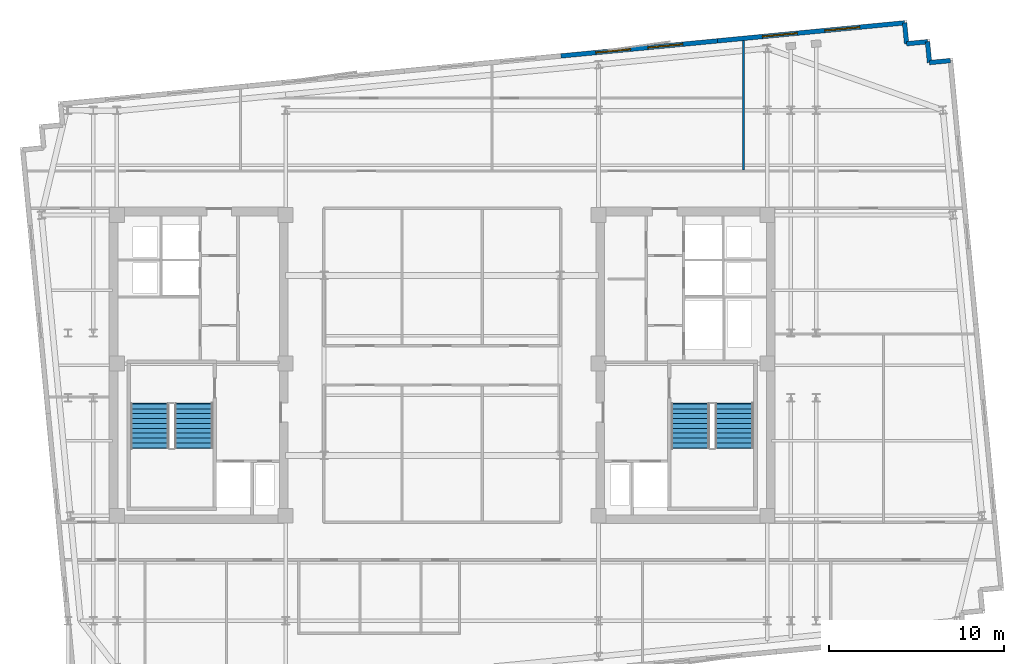
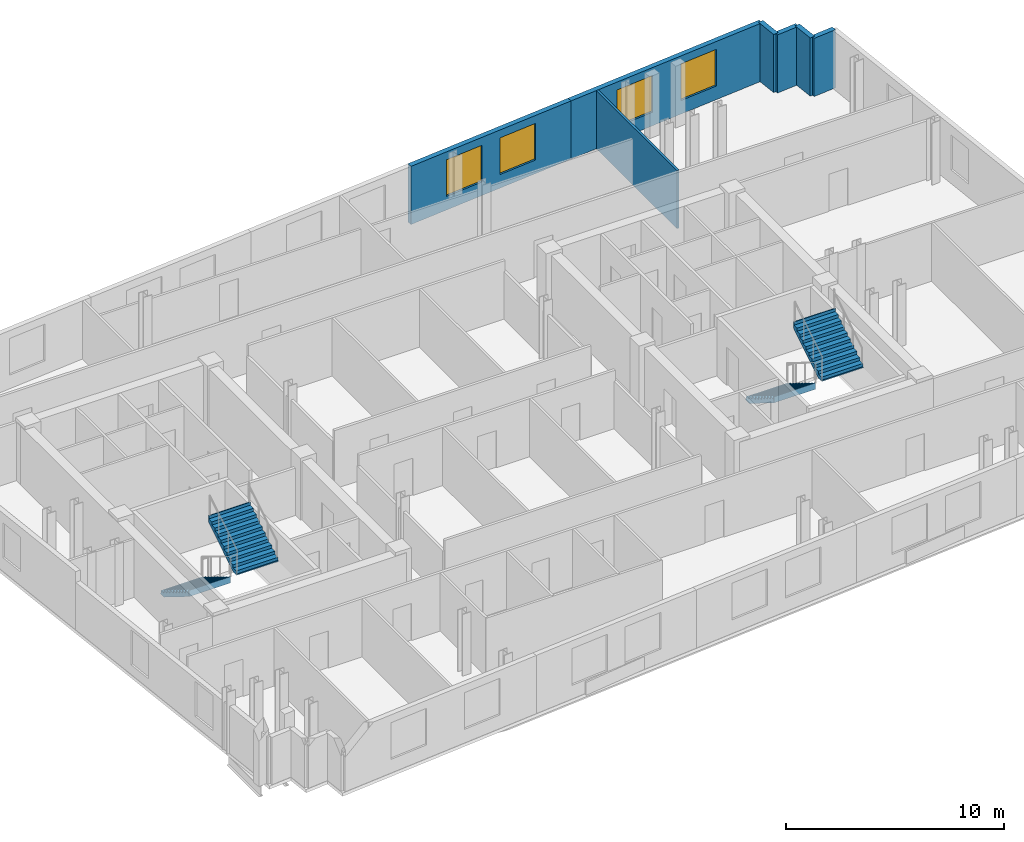
# One storey, part 7 of 9: 7 walls, 4 stair flights, 4 windows, 4 openings, 2 elements without a shape of their own.
"""IFC4 building model written with IfcOpenShell, lengths in metres."""

from ifc_helpers import new_model, si_unit, direction, frame, frame_2d, origin, place, context, subcontext, project, spatial, polyline, rectangle, outline, extrude, material, layer, layer_set, type_object, element, fill, aggregate, save


model = new_model("IFC4")

# Units and contexts
model_context = context("Model", 3, precision=1e-05, world=origin(), true_north=direction((0.0, 1.0)))
body_context = subcontext(model_context, "Body", "Model", "MODEL_VIEW")
ifc_project = project(units=[si_unit("LENGTHUNIT", "METRE"), si_unit("AREAUNIT", "SQUARE_METRE"), si_unit("VOLUMEUNIT", "CUBIC_METRE"), si_unit("PLANEANGLEUNIT", "RADIAN"), si_unit("MASSUNIT", "GRAM", prefix="KILO")], contexts=[model_context])

# Site, building, storey
site_placement = place(None, origin())
site = spatial("IfcSite", under=ifc_project, at=site_placement, CompositionType="ELEMENT")
building_placement = place(site_placement, origin())
building = spatial("IfcBuilding", under=site, at=building_placement, Name="Velakula Bourse", CompositionType="ELEMENT")
storey_placement = place(building_placement, frame((0.0, 0.0, 272.39990234375)))
storey = spatial("IfcBuildingStorey", under=building, at=storey_placement, Name="L74", CompositionType="ELEMENT", Elevation=272.39990234375)

# Wall, openings, windows
ifc_material_1 = material(Name="Buff kilned clay facing brick masonry", Category="masonry")
ifc_layer_1 = layer(ifc_material_1, 0.260009765625, Name="Buff kilned clay facing brick masonry", Category="masonry")
ifc_layer_set_1 = layer_set([ifc_layer_1], Name="Buff kilned clay facing brick masonry")
wall_type_1 = type_object("IfcWallType", Name="WL-EXT-BRK-260", PredefinedType="STANDARD", material=ifc_layer_set_1)
wall_1_placement = place(storey_placement, frame((6.797119140625, 17.700439453125, 0.0), z_axis=(0.0, 0.0, 1.0), x_axis=(0.995394455533, 0.09586385082, 0.0)))
wall_1 = element("IfcWall", 1, at=wall_1_placement, inside=storey, type_object=wall_type_1, Name="L74 N Brick Spandrel Wall B4", PredefinedType="STANDARD", context=body_context, shape_type="SweptSolid", body=[
    extrude(rectangle(XDim=9.000244140625, YDim=0.260009765625, at=frame_2d((4.5, 0.0))), origin(), (0.0, 0.0, 1.0), 3.25),
])
opening_1_placement = place(wall_1_placement, frame((2.0, 0.0, 0.760009765625)))
opening_1 = element("IfcOpeningElement", 2, at=opening_1_placement, cuts=wall_1, Name="Opening W-05", PredefinedType="OPENING", context=body_context, shape_type="SweptSolid", body=[
    extrude(rectangle(XDim=2.0, YDim=2.050048828125, at=frame_2d((1.0, 1.02490234375))), frame((0.0, 0.139892578125, 0.0), z_axis=(0.0, -1.0, 0.0), x_axis=(1.0, 0.0, 0.0)), (0.0, 0.0, 1.0), 0.280029296875),
])
opening_2_placement = place(wall_1_placement, frame((5.0, 0.0, 0.760009765625)))
opening_2 = element("IfcOpeningElement", 3, at=opening_2_placement, cuts=wall_1, Name="Opening W-05", PredefinedType="OPENING", context=body_context, shape_type="SweptSolid", body=[
    extrude(rectangle(XDim=2.0, YDim=2.050048828125, at=frame_2d((1.0, 1.02490234375))), frame((0.0, 0.139892578125, 0.0), z_axis=(0.0, -1.0, 0.0), x_axis=(1.0, 0.0, 0.0)), (0.0, 0.0, 1.0), 0.280029296875),
])
ifc_material_2 = material(Name="Double-glazed solar-control Low-E glass", Category="glass")
window_type = type_object("IfcWindowType", Name="WIN-TWR-2000x2200", PartitioningType="DOUBLE_PANEL_VERTICAL", PredefinedType="WINDOW", material=ifc_material_2)
window_1_placement = place(opening_1_placement, origin())
window_1 = element("IfcWindow", 4, at=window_1_placement, inside=storey, type_object=window_type, Name="L74 Deep-Set Recessed Window 1", OverallHeight=2.050048828125, OverallWidth=2.0, PartitioningType="DOUBLE_PANEL_VERTICAL", PredefinedType="WINDOW", context=body_context, shape_type="SweptSolid", body=[
    extrude(rectangle(XDim=2.0, YDim=2.050048828125, at=frame_2d((1.0, 1.02490234375))), frame((0.0, 0.030029296875, 0.0), z_axis=(0.0, -1.0, 0.0), x_axis=(1.0, 0.0, 0.0)), (0.0, 0.0, 1.0), 0.06005859375),
])
fill(opening_1, window_1)
window_2_placement = place(opening_2_placement, origin())
window_2 = element("IfcWindow", 5, at=window_2_placement, inside=storey, type_object=window_type, Name="L74 Deep-Set Recessed Window 2", OverallHeight=2.050048828125, OverallWidth=2.0, PartitioningType="DOUBLE_PANEL_VERTICAL", PredefinedType="WINDOW", context=body_context, shape_type="SweptSolid", body=[
    extrude(rectangle(XDim=2.0, YDim=2.050048828125, at=frame_2d((1.0, 1.02490234375))), frame((0.0, 0.030029296875, 0.0), z_axis=(0.0, -1.0, 0.0), x_axis=(1.0, 0.0, 0.0)), (0.0, 0.0, 1.0), 0.06005859375),
])
fill(opening_2, window_2)

wall_2_placement = place(storey_placement, frame((15.755859375, 18.563232421875, 0.0), z_axis=(0.0, 0.0, 1.0), x_axis=(0.995396745868, 0.095840066339, 0.0)))
wall_2 = element("IfcWall", 6, at=wall_2_placement, inside=storey, type_object=wall_type_1, Name="L74 N Brick Spandrel Wall B5", PredefinedType="STANDARD", context=body_context, shape_type="SweptSolid", body=[
    extrude(rectangle(XDim=10.75, YDim=0.260009765625, at=frame_2d((5.375, 0.0))), origin(), (0.0, 0.0, 1.0), 3.25),
])
opening_3_placement = place(wall_2_placement, frame((2.583251953125, 0.0, 0.760009765625)))
opening_3 = element("IfcOpeningElement", 7, at=opening_3_placement, cuts=wall_2, Name="Opening W-05", PredefinedType="OPENING", context=body_context, shape_type="SweptSolid", body=[
    extrude(rectangle(XDim=2.0, YDim=2.050048828125, at=frame_2d((1.0, 1.02490234375))), frame((0.0, 0.139892578125, 0.0), z_axis=(0.0, -1.0, 0.0), x_axis=(1.0, 0.0, 0.0)), (0.0, 0.0, 1.0), 0.280029296875),
])
opening_4_placement = place(wall_2_placement, frame((6.166748046875, 0.0, 0.760009765625)))
opening_4 = element("IfcOpeningElement", 8, at=opening_4_placement, cuts=wall_2, Name="Opening W-05", PredefinedType="OPENING", context=body_context, shape_type="SweptSolid", body=[
    extrude(rectangle(XDim=2.0, YDim=2.050048828125, at=frame_2d((1.0, 1.02490234375))), frame((0.0, 0.139892578125, 0.0), z_axis=(0.0, -1.0, 0.0), x_axis=(1.0, 0.0, 0.0)), (0.0, 0.0, 1.0), 0.280029296875),
])
window_3_placement = place(opening_3_placement, origin())
window_3 = element("IfcWindow", 9, at=window_3_placement, inside=storey, type_object=window_type, Name="L74 Deep-Set Recessed Window 1", OverallHeight=2.050048828125, OverallWidth=2.0, PartitioningType="DOUBLE_PANEL_VERTICAL", PredefinedType="WINDOW", context=body_context, shape_type="SweptSolid", body=[
    extrude(rectangle(XDim=2.0, YDim=2.050048828125, at=frame_2d((1.0, 1.02490234375))), frame((0.0, 0.030029296875, 0.0), z_axis=(0.0, -1.0, 0.0), x_axis=(1.0, 0.0, 0.0)), (0.0, 0.0, 1.0), 0.06005859375),
])
fill(opening_3, window_3)
window_4_placement = place(opening_4_placement, origin())
window_4 = element("IfcWindow", 10, at=window_4_placement, inside=storey, type_object=window_type, Name="L74 Deep-Set Recessed Window 2", OverallHeight=2.050048828125, OverallWidth=2.0, PartitioningType="DOUBLE_PANEL_VERTICAL", PredefinedType="WINDOW", context=body_context, shape_type="SweptSolid", body=[
    extrude(rectangle(XDim=2.0, YDim=2.050048828125, at=frame_2d((1.0, 1.02490234375))), frame((0.0, 0.030029296875, 0.0), z_axis=(0.0, -1.0, 0.0), x_axis=(1.0, 0.0, 0.0)), (0.0, 0.0, 1.0), 0.06005859375),
])
fill(opening_4, window_4)

# Walls
for number, where, z_axis, x_axis, name in (
    (11, (29.0751953125, 17.4345703125, 0.0), (0.0, 0.0, 1.0), (-0.995397091755, -0.095836473879, 0.0), "L74 Serrated Corner Brick Wall NE-1"),
    (12, (27.880859375, 17.319580078125, 0.0), (0.0, 0.0, 1.0), (-0.095836473879, 0.995397091755, 0.0), "L74 Serrated Corner Brick Wall NE-2"),
):
    element("IfcWall", number, at=place(storey_placement, frame(where, z_axis=z_axis, x_axis=x_axis)), inside=storey, type_object=wall_type_1, Name=name, PredefinedType="STANDARD", context=body_context, shape_type="SweptSolid", body=[
        extrude(rectangle(XDim=1.199951171875, YDim=0.260009765625, at=frame_2d((0.60009765625, 0.0))), origin(), (0.0, 0.0, 1.0), 3.25),
    ])
for number, where, z_axis, x_axis, name in (
    (13, (27.765869140625, 18.513916015625, 0.0), (0.0, 0.0, 1.0), (-0.995398960025, -0.095817067274, 0.0), "L74 Serrated Corner Brick Wall NE-3"),
    (14, (26.5712890625, 18.39892578125, 0.0), (0.0, 0.0, 1.0), (-0.095817067274, 0.995398960025, 0.0), "L74 Serrated Corner Brick Wall NE-4"),
):
    element("IfcWall", number, at=place(storey_placement, frame(where, z_axis=z_axis, x_axis=x_axis)), inside=storey, type_object=wall_type_1, Name=name, PredefinedType="STANDARD", context=body_context, shape_type="SweptSolid", body=[
        extrude(rectangle(XDim=1.2001953125, YDim=0.260009765625, at=frame_2d((0.60009765625, 0.0))), origin(), (0.0, 0.0, 1.0), 3.25),
    ])
ifc_material_3 = material(Name="Fire-rated double-layer gypsum drywall partition", Category="gypsum")
ifc_layer_2 = layer(ifc_material_3, 0.1201171875, Name="Fire-rated double-layer gypsum drywall partition", Category="gypsum")
ifc_layer_set_2 = layer_set([ifc_layer_2], Name="Fire-rated double-layer gypsum drywall partition")
wall_type_2 = type_object("IfcWallType", Name="WL-PART-120", PredefinedType="STANDARD", material=ifc_layer_set_2)
wall_3_placement = place(storey_placement, frame((17.236083984375, 11.18994140625, 0.0), z_axis=(0.0, 0.0, 1.0), x_axis=(0.0, 1.0, 0.0)))
element("IfcWall", 15, at=wall_3_placement, inside=storey, type_object=wall_type_2, Name="L74 Interior Partition WL-INT-L74-N-D3", PredefinedType="STANDARD", context=body_context, shape_type="SweptSolid", body=[
    extrude(rectangle(XDim=7.38525390625, YDim=0.1201171875, at=frame_2d((3.692626953125, 0.0))), origin(), (0.0, 0.0, 1.0), 3.25),
])

# Stair, stair flights
ifc_material_4 = material(Name="Concrete M45 (fck 45 MPa)", Category="concrete")
stair_type = type_object("IfcStairType", Name="STR-DOG-390", PredefinedType="HALF_TURN_STAIR", material=ifc_material_4)
stair_1_placement = place(storey_placement, origin())
stair_1 = element("IfcStair", 16, at=stair_1_placement, inside=storey, type_object=stair_type, Name="L74 West Core Exit Stair ST-W1", PredefinedType="HALF_TURN_STAIR")
ifc_layer_3 = layer(ifc_material_4, 0.195068359375, Name="Concrete M45 (fck 45 MPa)", Category="concrete")
ifc_layer_set_3 = layer_set([ifc_layer_3], Name="Concrete M45 (fck 45 MPa)")
stair_flight_type = type_object("IfcStairFlightType", Name="FLT-DOG-390", PredefinedType="STRAIGHT", material=ifc_layer_set_3)
stair_flight_1_placement = place(storey_placement, frame((-16.720947265625, -2.199951171875, 0.0), z_axis=(0.0, 0.0, 1.0), x_axis=(0.0, -1.0, 0.0)))
stair_flight_1 = element("IfcStairFlight", 17, at=stair_flight_1_placement, type_object=stair_flight_type, Name="ST-W1 flight 1", NumberOfRisers=10, NumberOfTreads=9, PredefinedType="STRAIGHT", RiserHeight=0.1725, TreadLength=0.28, context=body_context, shape_type="SweptSolid", body=[
    extrude(outline(polyline([(-0.044921875, -0.0400390625), (-0.044921875, -0.036865234375), (-0.044921875, -0.033935546875), (-0.044921875, -0.03076171875), (-0.044921875, -0.027587890625), (-0.044921875, -0.024658203125), (-0.044921875, -0.021484375), (-0.044921875, -0.0185546875), (-0.044921875, -0.015380859375), (-0.044921875, -0.01220703125), (-0.044921875, -0.00927734375), (-0.044921875, -0.006103515625), (-0.044921875, -0.003173828125), (-0.044921875, 0.0), (0.0, 0.0), (0.0, 0.172607421875), (0.280029296875, 0.172607421875), (0.280029296875, 0.344970703125), (0.56005859375, 0.344970703125), (0.56005859375, 0.517578125), (0.840087890625, 0.517578125), (0.840087890625, 0.68994140625), (1.1201171875, 0.68994140625), (1.1201171875, 0.862548828125), (1.39990234375, 0.862548828125), (1.39990234375, 1.034912109375), (1.679931640625, 1.034912109375), (1.679931640625, 1.20751953125), (1.9599609375, 1.20751953125), (1.9599609375, 1.3798828125), (2.239990234375, 1.3798828125), (2.239990234375, 1.552490234375), (2.52001953125, 1.552490234375), (2.52001953125, 1.72509765625), (2.56494140625, 1.72509765625), (2.56494140625, 1.7001953125), (2.56494140625, 1.67529296875), (2.56494140625, 1.650390625), (2.56494140625, 1.62548828125), (2.56494140625, 1.6005859375), (2.56494140625, 1.57568359375), (2.56494140625, 1.55078125), (2.56494140625, 1.52587890625), (2.56494140625, 1.5009765625), (2.56494140625, 1.47607421875), (2.56494140625, 1.451171875), (2.56494140625, 1.42626953125), (2.56494140625, 1.4013671875), (2.56494140625, 1.37646484375), (0.285888671875, -0.0400390625), (-0.044921875, -0.0400390625)])), frame((0.0, 1.09912109375, 0.0), z_axis=(0.0, -1.0, 0.0), x_axis=(1.0, 0.0, 0.0)), (0.0, 0.0, 1.0), 2.197998046875),
])
stair_flight_2_placement = place(storey_placement, frame((-14.198974609375, -4.719970703125, 1.72509765625), z_axis=(0.0, 0.0, 1.0), x_axis=(0.0, 1.0, 0.0)))
stair_flight_2 = element("IfcStairFlight", 18, at=stair_flight_2_placement, type_object=stair_flight_type, Name="ST-W1 flight 2", NumberOfRisers=10, NumberOfTreads=9, PredefinedType="STRAIGHT", RiserHeight=0.1725, TreadLength=0.28, context=body_context, shape_type="SweptSolid", body=[
    extrude(outline(polyline([(-0.044921875, -0.0400390625), (-0.044921875, -0.036865234375), (-0.044921875, -0.033935546875), (-0.044921875, -0.03076171875), (-0.044921875, -0.027587890625), (-0.044921875, -0.024658203125), (-0.044921875, -0.021484375), (-0.044921875, -0.0185546875), (-0.044921875, -0.015380859375), (-0.044921875, -0.01220703125), (-0.044921875, -0.00927734375), (-0.044921875, -0.006103515625), (-0.044921875, -0.003173828125), (-0.044921875, 0.0), (0.0, 0.0), (0.0, 0.172607421875), (0.280029296875, 0.172607421875), (0.280029296875, 0.344970703125), (0.56005859375, 0.344970703125), (0.56005859375, 0.517578125), (0.840087890625, 0.517578125), (0.840087890625, 0.68994140625), (1.1201171875, 0.68994140625), (1.1201171875, 0.862548828125), (1.39990234375, 0.862548828125), (1.39990234375, 1.034912109375), (1.679931640625, 1.034912109375), (1.679931640625, 1.20751953125), (1.9599609375, 1.20751953125), (1.9599609375, 1.3798828125), (2.239990234375, 1.3798828125), (2.239990234375, 1.552490234375), (2.52001953125, 1.552490234375), (2.52001953125, 1.72509765625), (2.56494140625, 1.72509765625), (2.56494140625, 1.7001953125), (2.56494140625, 1.67529296875), (2.56494140625, 1.650390625), (2.56494140625, 1.62548828125), (2.56494140625, 1.6005859375), (2.56494140625, 1.57568359375), (2.56494140625, 1.55078125), (2.56494140625, 1.52587890625), (2.56494140625, 1.5009765625), (2.56494140625, 1.47607421875), (2.56494140625, 1.451171875), (2.56494140625, 1.42626953125), (2.56494140625, 1.4013671875), (2.56494140625, 1.37646484375), (0.285888671875, -0.0400390625), (-0.044921875, -0.0400390625)])), frame((0.0, 1.09912109375, 0.0), z_axis=(0.0, -1.0, 0.0), x_axis=(1.0, 0.0, 0.0)), (0.0, 0.0, 1.0), 2.197998046875),
])
aggregate(stair_1, [stair_flight_1, stair_flight_2])

stair_2_placement = place(storey_placement, origin())
stair_2 = element("IfcStair", 19, at=stair_2_placement, inside=storey, type_object=stair_type, Name="L74 East Core Exit Stair ST-E1", PredefinedType="HALF_TURN_STAIR")
stair_flight_3_placement = place(storey_placement, frame((14.198974609375, -2.199951171875, 0.0), z_axis=(0.0, 0.0, 1.0), x_axis=(0.0, -1.0, 0.0)))
stair_flight_3 = element("IfcStairFlight", 20, at=stair_flight_3_placement, type_object=stair_flight_type, Name="ST-E1 flight 1", NumberOfRisers=10, NumberOfTreads=9, PredefinedType="STRAIGHT", RiserHeight=0.1725, TreadLength=0.28, context=body_context, shape_type="SweptSolid", body=[
    extrude(outline(polyline([(-0.044921875, -0.0400390625), (-0.044921875, -0.036865234375), (-0.044921875, -0.033935546875), (-0.044921875, -0.03076171875), (-0.044921875, -0.027587890625), (-0.044921875, -0.024658203125), (-0.044921875, -0.021484375), (-0.044921875, -0.0185546875), (-0.044921875, -0.015380859375), (-0.044921875, -0.01220703125), (-0.044921875, -0.00927734375), (-0.044921875, -0.006103515625), (-0.044921875, -0.003173828125), (-0.044921875, 0.0), (0.0, 0.0), (0.0, 0.172607421875), (0.280029296875, 0.172607421875), (0.280029296875, 0.344970703125), (0.56005859375, 0.344970703125), (0.56005859375, 0.517578125), (0.840087890625, 0.517578125), (0.840087890625, 0.68994140625), (1.1201171875, 0.68994140625), (1.1201171875, 0.862548828125), (1.39990234375, 0.862548828125), (1.39990234375, 1.034912109375), (1.679931640625, 1.034912109375), (1.679931640625, 1.20751953125), (1.9599609375, 1.20751953125), (1.9599609375, 1.3798828125), (2.239990234375, 1.3798828125), (2.239990234375, 1.552490234375), (2.52001953125, 1.552490234375), (2.52001953125, 1.72509765625), (2.56494140625, 1.72509765625), (2.56494140625, 1.7001953125), (2.56494140625, 1.67529296875), (2.56494140625, 1.650390625), (2.56494140625, 1.62548828125), (2.56494140625, 1.6005859375), (2.56494140625, 1.57568359375), (2.56494140625, 1.55078125), (2.56494140625, 1.52587890625), (2.56494140625, 1.5009765625), (2.56494140625, 1.47607421875), (2.56494140625, 1.451171875), (2.56494140625, 1.42626953125), (2.56494140625, 1.4013671875), (2.56494140625, 1.37646484375), (0.285888671875, -0.0400390625), (-0.044921875, -0.0400390625)])), frame((0.0, 1.09912109375, 0.0), z_axis=(0.0, -1.0, 0.0), x_axis=(1.0, 0.0, 0.0)), (0.0, 0.0, 1.0), 2.197998046875),
])
stair_flight_4_placement = place(storey_placement, frame((16.720947265625, -4.719970703125, 1.72509765625), z_axis=(0.0, 0.0, 1.0), x_axis=(0.0, 1.0, 0.0)))
stair_flight_4 = element("IfcStairFlight", 21, at=stair_flight_4_placement, type_object=stair_flight_type, Name="ST-E1 flight 2", NumberOfRisers=10, NumberOfTreads=9, PredefinedType="STRAIGHT", RiserHeight=0.1725, TreadLength=0.28, context=body_context, shape_type="SweptSolid", body=[
    extrude(outline(polyline([(-0.044921875, -0.0400390625), (-0.044921875, -0.036865234375), (-0.044921875, -0.033935546875), (-0.044921875, -0.03076171875), (-0.044921875, -0.027587890625), (-0.044921875, -0.024658203125), (-0.044921875, -0.021484375), (-0.044921875, -0.0185546875), (-0.044921875, -0.015380859375), (-0.044921875, -0.01220703125), (-0.044921875, -0.00927734375), (-0.044921875, -0.006103515625), (-0.044921875, -0.003173828125), (-0.044921875, 0.0), (0.0, 0.0), (0.0, 0.172607421875), (0.280029296875, 0.172607421875), (0.280029296875, 0.344970703125), (0.56005859375, 0.344970703125), (0.56005859375, 0.517578125), (0.840087890625, 0.517578125), (0.840087890625, 0.68994140625), (1.1201171875, 0.68994140625), (1.1201171875, 0.862548828125), (1.39990234375, 0.862548828125), (1.39990234375, 1.034912109375), (1.679931640625, 1.034912109375), (1.679931640625, 1.20751953125), (1.9599609375, 1.20751953125), (1.9599609375, 1.3798828125), (2.239990234375, 1.3798828125), (2.239990234375, 1.552490234375), (2.52001953125, 1.552490234375), (2.52001953125, 1.72509765625), (2.56494140625, 1.72509765625), (2.56494140625, 1.7001953125), (2.56494140625, 1.67529296875), (2.56494140625, 1.650390625), (2.56494140625, 1.62548828125), (2.56494140625, 1.6005859375), (2.56494140625, 1.57568359375), (2.56494140625, 1.55078125), (2.56494140625, 1.52587890625), (2.56494140625, 1.5009765625), (2.56494140625, 1.47607421875), (2.56494140625, 1.451171875), (2.56494140625, 1.42626953125), (2.56494140625, 1.4013671875), (2.56494140625, 1.37646484375), (0.285888671875, -0.0400390625), (-0.044921875, -0.0400390625)])), frame((0.0, 1.09912109375, 0.0), z_axis=(0.0, -1.0, 0.0), x_axis=(1.0, 0.0, 0.0)), (0.0, 0.0, 1.0), 2.197998046875),
])
aggregate(stair_2, [stair_flight_3, stair_flight_4])

save(model, "model.ifc")
